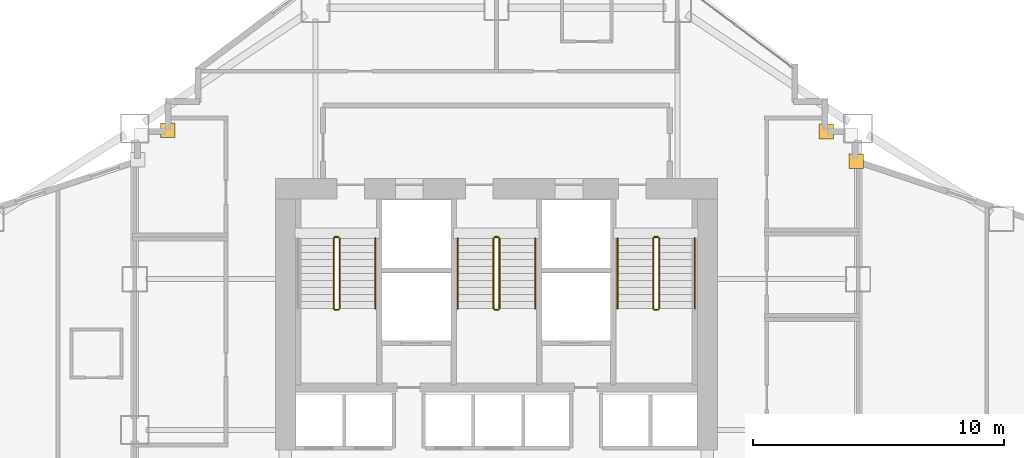
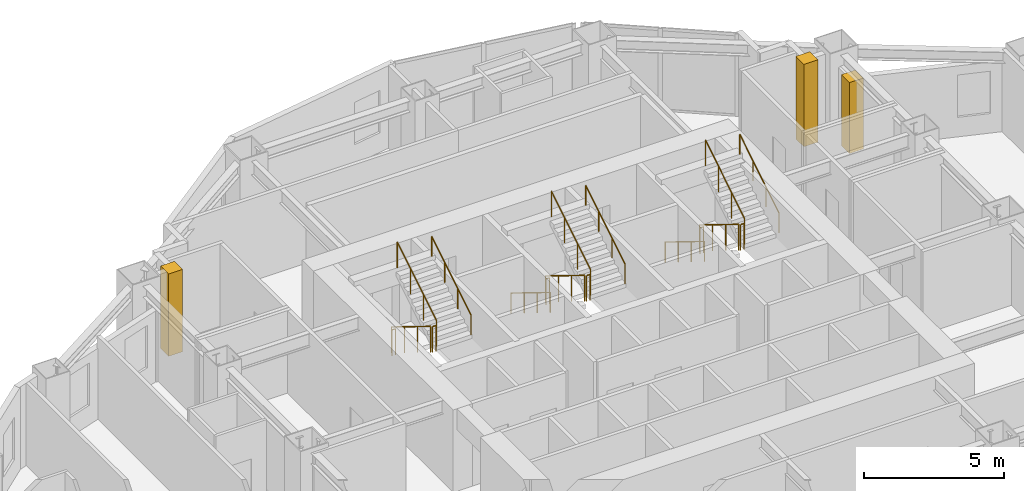
# One storey, part 15 of 16: 17 railings, 3 coverings.
"""IFC4 building model written with IfcOpenShell, lengths in metres."""

from ifc_helpers import new_model, si_unit, direction, frame, origin, origin_2d, place, context, subcontext, project, spatial, rectangle, circle, extrude, material, layer, layer_set, type_object, element, save


model = new_model("IFC4")

# Units and contexts
model_context = context("Model", 3, precision=1e-05, world=origin(), true_north=direction((0.0, 1.0)))
body_context = subcontext(model_context, "Body", "Model", "MODEL_VIEW")
ifc_project = project(units=[si_unit("LENGTHUNIT", "METRE"), si_unit("AREAUNIT", "SQUARE_METRE"), si_unit("VOLUMEUNIT", "CUBIC_METRE"), si_unit("PLANEANGLEUNIT", "RADIAN"), si_unit("MASSUNIT", "GRAM", prefix="KILO")], contexts=[model_context])

# Site, building, storey
site_placement = place(None, origin())
site = spatial("IfcSite", under=ifc_project, at=site_placement, CompositionType="ELEMENT")
building_placement = place(site_placement, origin())
building = spatial("IfcBuilding", under=site, at=building_placement, Name="Haolan Belvedere Tower", CompositionType="ELEMENT")
storey_placement = place(building_placement, frame((0.0, 0.0, 74.199951171875)))
storey = spatial("IfcBuildingStorey", under=building, at=storey_placement, Name="L18", CompositionType="ELEMENT", Elevation=74.199951171875)

# Coverings
ifc_material_1 = material(Name="Pale champagne-silver anodised aluminium rainscreen cladding", Category="aluminium")
ifc_layer = layer(ifc_material_1, 0.034912109375, Name="Pale champagne-silver anodised aluminium rainscreen cladding")
ifc_layer_set = layer_set([ifc_layer], Name="Pale champagne-silver anodised aluminium rainscreen cladding")
covering_type = type_object("IfcCoveringType", Name="COV-CLAD-35", PredefinedType="CLADDING", material=ifc_layer_set)
covering_placement = place(storey_placement, frame((52.72021484375, 44.300048828125, 0.0), z_axis=(0.0, 0.0, 1.0), x_axis=(1.0, 0.0, 0.0)))
element("IfcCovering", 1, at=covering_placement, inside=storey, type_object=covering_type, Name="L18 pale-metal serrated corner cladding trim 7", PredefinedType="CLADDING", context=body_context, shape_type="SweptSolid", body=[
    extrude(rectangle(XDim=0.580078125, YDim=0.580078125, at=origin_2d()), origin(), (0.0, 0.0, 1.0), 3.096923828125),
])
for number, where, z_axis, x_axis, name in (
    (2, (51.5224609375, 45.47998046875, 0.0), (0.0, 0.0, 1.0), (1.0, 0.0, 0.0), "L18 pale-metal serrated corner cladding trim 8"),
    (3, (25.320068359375, 45.5224609375, 0.0), (0.0, 0.0, 1.0), (1.0, 0.0, 0.0), "L18 pale-metal serrated corner cladding trim 9"),
):
    element("IfcCovering", number, at=place(storey_placement, frame(where, z_axis=z_axis, x_axis=x_axis)), inside=storey, type_object=covering_type, Name=name, PredefinedType="CLADDING", context=body_context, shape_type="SweptSolid", body=[
        extrude(rectangle(XDim=0.580078125, YDim=0.580078125, at=origin_2d()), origin(), (0.0, 0.0, 1.0), 3.60009765625),
    ])

# Railings
ifc_material_2 = material(Name="Brushed stainless steel 304", Category="steel")
railing_type_1 = type_object("IfcRailingType", Name="RL-STAIR-GRD-1150", PredefinedType="GUARDRAIL", material=ifc_material_2)
railing_1_placement = place(storey_placement, frame((31.919921875, 41.22998046875, 0.1728515625)))
element("IfcRailing", 4, at=railing_1_placement, inside=storey, type_object=railing_type_1, Name="L18 ST1 stair guard 1", PredefinedType="GUARDRAIL", context=body_context, shape_type="SweptSolid", body=[
    extrude(circle(Radius=0.02392578125, at=origin_2d()), frame((0.0, 0.0, 1.1259765625), z_axis=(0.0, -0.851089632645, 0.525020415988), x_axis=(1.0, 0.0, 0.0)), (0.0, 0.0, 1.0), 3.2900390625),
    extrude(circle(Radius=0.02099609375, at=origin_2d()), origin(), (0.0, 0.0, 1.0), 1.101806640625),
    extrude(circle(Radius=0.02099609375, at=origin_2d()), frame((0.0, -0.933349609375, 0.57568359375)), (0.0, 0.0, 1.0), 1.101806640625),
    extrude(circle(Radius=0.02099609375, at=origin_2d()), frame((0.0, -1.86669921875, 1.151611328125)), (0.0, 0.0, 1.0), 1.101806640625),
    extrude(circle(Radius=0.02099609375, at=origin_2d()), frame((0.0, -2.800048828125, 1.727294921875)), (0.0, 0.0, 1.0), 1.101806640625),
])
railing_2_placement = place(storey_placement, frame((31.969970703125, 38.3798828125, 1.900146484375)))
element("IfcRailing", 5, at=railing_2_placement, inside=storey, type_object=railing_type_1, Name="L18 ST1 stair guard 2", PredefinedType="GUARDRAIL", context=body_context, shape_type="SweptSolid", body=[
    extrude(circle(Radius=0.02392578125, at=origin_2d()), frame((0.0, 0.0, 1.1259765625), z_axis=(1.0, 0.0, 0.0), x_axis=(0.0, 1.0, 0.0)), (0.0, 0.0, 1.0), 0.14013671875),
    extrude(circle(Radius=0.02099609375, at=origin_2d()), origin(), (0.0, 0.0, 1.0), 1.101806640625),
    extrude(circle(Radius=0.02099609375, at=origin_2d()), frame((0.14013671875, 0.0, 0.0)), (0.0, 0.0, 1.0), 1.101806640625),
])
railing_3_placement = place(storey_placement, frame((32.159912109375, 38.429931640625, 2.07275390625)))
element("IfcRailing", 6, at=railing_3_placement, inside=storey, type_object=railing_type_1, Name="L18 ST1 stair guard 3", PredefinedType="GUARDRAIL", context=body_context, shape_type="SweptSolid", body=[
    extrude(circle(Radius=0.02392578125, at=origin_2d()), frame((0.0, 0.0, 1.1259765625), z_axis=(0.0, 0.851089632645, 0.525020415988), x_axis=(-1.0, 0.0, 0.0)), (0.0, 0.0, 1.0), 3.2900390625),
    extrude(circle(Radius=0.02099609375, at=origin_2d()), origin(), (0.0, 0.0, 1.0), 1.101806640625),
    extrude(circle(Radius=0.02099609375, at=origin_2d()), frame((0.0, 0.933349609375, 0.57568359375)), (0.0, 0.0, 1.0), 1.101806640625),
    extrude(circle(Radius=0.02099609375, at=origin_2d()), frame((0.0, 1.86669921875, 1.151611328125)), (0.0, 0.0, 1.0), 1.101806640625),
    extrude(circle(Radius=0.02099609375, at=origin_2d()), frame((0.0, 2.800048828125, 1.727294921875)), (0.0, 0.0, 1.0), 1.101806640625),
])
railing_4_placement = place(storey_placement, frame((31.969970703125, 41.280029296875, 0.0)))
element("IfcRailing", 7, at=railing_4_placement, inside=storey, type_object=railing_type_1, Name="L18 ST1 stair guard 4", PredefinedType="GUARDRAIL", context=body_context, shape_type="SweptSolid", body=[
    extrude(circle(Radius=0.02392578125, at=origin_2d()), frame((0.0, 0.0, 1.1259765625), z_axis=(1.0, 0.0, 0.0), x_axis=(0.0, 1.0, 0.0)), (0.0, 0.0, 1.0), 0.14013671875),
    extrude(circle(Radius=0.02099609375, at=origin_2d()), origin(), (0.0, 0.0, 1.0), 1.101806640625),
    extrude(circle(Radius=0.02099609375, at=origin_2d()), frame((0.14013671875, 0.0, 0.0)), (0.0, 0.0, 1.0), 1.101806640625),
])
railing_5_placement = place(storey_placement, frame((38.280029296875, 41.22998046875, 0.1728515625)))
element("IfcRailing", 8, at=railing_5_placement, inside=storey, type_object=railing_type_1, Name="L18 ST3 stair guard 1", PredefinedType="GUARDRAIL", context=body_context, shape_type="SweptSolid", body=[
    extrude(circle(Radius=0.02392578125, at=origin_2d()), frame((0.0, 0.0, 1.1259765625), z_axis=(0.0, -0.851089632645, 0.525020415988), x_axis=(1.0, 0.0, 0.0)), (0.0, 0.0, 1.0), 3.2900390625),
    extrude(circle(Radius=0.02099609375, at=origin_2d()), origin(), (0.0, 0.0, 1.0), 1.101806640625),
    extrude(circle(Radius=0.02099609375, at=origin_2d()), frame((0.0, -0.933349609375, 0.57568359375)), (0.0, 0.0, 1.0), 1.101806640625),
    extrude(circle(Radius=0.02099609375, at=origin_2d()), frame((0.0, -1.86669921875, 1.151611328125)), (0.0, 0.0, 1.0), 1.101806640625),
    extrude(circle(Radius=0.02099609375, at=origin_2d()), frame((0.0, -2.800048828125, 1.727294921875)), (0.0, 0.0, 1.0), 1.101806640625),
])
railing_6_placement = place(storey_placement, frame((38.330078125, 38.3798828125, 1.900146484375)))
element("IfcRailing", 9, at=railing_6_placement, inside=storey, type_object=railing_type_1, Name="L18 ST3 stair guard 2", PredefinedType="GUARDRAIL", context=body_context, shape_type="SweptSolid", body=[
    extrude(circle(Radius=0.02392578125, at=origin_2d()), frame((0.0, 0.0, 1.1259765625), z_axis=(1.0, 0.0, 0.0), x_axis=(0.0, 1.0, 0.0)), (0.0, 0.0, 1.0), 0.139892578125),
    extrude(circle(Radius=0.02099609375, at=origin_2d()), origin(), (0.0, 0.0, 1.0), 1.101806640625),
    extrude(circle(Radius=0.02099609375, at=origin_2d()), frame((0.139892578125, 0.0, 0.0)), (0.0, 0.0, 1.0), 1.101806640625),
])
railing_7_placement = place(storey_placement, frame((38.52001953125, 38.429931640625, 2.07275390625)))
element("IfcRailing", 10, at=railing_7_placement, inside=storey, type_object=railing_type_1, Name="L18 ST3 stair guard 3", PredefinedType="GUARDRAIL", context=body_context, shape_type="SweptSolid", body=[
    extrude(circle(Radius=0.02392578125, at=origin_2d()), frame((0.0, 0.0, 1.1259765625), z_axis=(0.0, 0.851089632645, 0.525020415988), x_axis=(-1.0, 0.0, 0.0)), (0.0, 0.0, 1.0), 3.2900390625),
    extrude(circle(Radius=0.02099609375, at=origin_2d()), origin(), (0.0, 0.0, 1.0), 1.101806640625),
    extrude(circle(Radius=0.02099609375, at=origin_2d()), frame((0.0, 0.933349609375, 0.57568359375)), (0.0, 0.0, 1.0), 1.101806640625),
    extrude(circle(Radius=0.02099609375, at=origin_2d()), frame((0.0, 1.86669921875, 1.151611328125)), (0.0, 0.0, 1.0), 1.101806640625),
    extrude(circle(Radius=0.02099609375, at=origin_2d()), frame((0.0, 2.800048828125, 1.727294921875)), (0.0, 0.0, 1.0), 1.101806640625),
])
railing_8_placement = place(storey_placement, frame((38.330078125, 41.280029296875, 0.0)))
element("IfcRailing", 11, at=railing_8_placement, inside=storey, type_object=railing_type_1, Name="L18 ST3 stair guard 4", PredefinedType="GUARDRAIL", context=body_context, shape_type="SweptSolid", body=[
    extrude(circle(Radius=0.02392578125, at=origin_2d()), frame((0.0, 0.0, 1.1259765625), z_axis=(1.0, 0.0, 0.0), x_axis=(0.0, 1.0, 0.0)), (0.0, 0.0, 1.0), 0.139892578125),
    extrude(circle(Radius=0.02099609375, at=origin_2d()), origin(), (0.0, 0.0, 1.0), 1.101806640625),
    extrude(circle(Radius=0.02099609375, at=origin_2d()), frame((0.139892578125, 0.0, 0.0)), (0.0, 0.0, 1.0), 1.101806640625),
])
railing_9_placement = place(storey_placement, frame((44.639892578125, 41.22998046875, 0.1728515625)))
element("IfcRailing", 12, at=railing_9_placement, inside=storey, type_object=railing_type_1, Name="L18 ST2 stair guard 1", PredefinedType="GUARDRAIL", context=body_context, shape_type="SweptSolid", body=[
    extrude(circle(Radius=0.02392578125, at=origin_2d()), frame((0.0, 0.0, 1.1259765625), z_axis=(0.0, -0.851089632645, 0.525020415988), x_axis=(1.0, 0.0, 0.0)), (0.0, 0.0, 1.0), 3.2900390625),
    extrude(circle(Radius=0.02099609375, at=origin_2d()), origin(), (0.0, 0.0, 1.0), 1.101806640625),
    extrude(circle(Radius=0.02099609375, at=origin_2d()), frame((0.0, -0.933349609375, 0.57568359375)), (0.0, 0.0, 1.0), 1.101806640625),
    extrude(circle(Radius=0.02099609375, at=origin_2d()), frame((0.0, -1.86669921875, 1.151611328125)), (0.0, 0.0, 1.0), 1.101806640625),
    extrude(circle(Radius=0.02099609375, at=origin_2d()), frame((0.0, -2.800048828125, 1.727294921875)), (0.0, 0.0, 1.0), 1.101806640625),
])
railing_10_placement = place(storey_placement, frame((44.68994140625, 38.3798828125, 1.900146484375)))
element("IfcRailing", 13, at=railing_10_placement, inside=storey, type_object=railing_type_1, Name="L18 ST2 stair guard 2", PredefinedType="GUARDRAIL", context=body_context, shape_type="SweptSolid", body=[
    extrude(circle(Radius=0.02392578125, at=origin_2d()), frame((0.0, 0.0, 1.1259765625), z_axis=(1.0, 0.0, 0.0), x_axis=(0.0, 1.0, 0.0)), (0.0, 0.0, 1.0), 0.14013671875),
    extrude(circle(Radius=0.02099609375, at=origin_2d()), origin(), (0.0, 0.0, 1.0), 1.101806640625),
    extrude(circle(Radius=0.02099609375, at=origin_2d()), frame((0.14013671875, 0.0, 0.0)), (0.0, 0.0, 1.0), 1.101806640625),
])
railing_11_placement = place(storey_placement, frame((44.8798828125, 38.429931640625, 2.07275390625)))
element("IfcRailing", 14, at=railing_11_placement, inside=storey, type_object=railing_type_1, Name="L18 ST2 stair guard 3", PredefinedType="GUARDRAIL", context=body_context, shape_type="SweptSolid", body=[
    extrude(circle(Radius=0.02392578125, at=origin_2d()), frame((0.0, 0.0, 1.1259765625), z_axis=(0.0, 0.851089632645, 0.525020415988), x_axis=(-1.0, 0.0, 0.0)), (0.0, 0.0, 1.0), 3.2900390625),
    extrude(circle(Radius=0.02099609375, at=origin_2d()), origin(), (0.0, 0.0, 1.0), 1.101806640625),
    extrude(circle(Radius=0.02099609375, at=origin_2d()), frame((0.0, 0.933349609375, 0.57568359375)), (0.0, 0.0, 1.0), 1.101806640625),
    extrude(circle(Radius=0.02099609375, at=origin_2d()), frame((0.0, 1.86669921875, 1.151611328125)), (0.0, 0.0, 1.0), 1.101806640625),
    extrude(circle(Radius=0.02099609375, at=origin_2d()), frame((0.0, 2.800048828125, 1.727294921875)), (0.0, 0.0, 1.0), 1.101806640625),
])
railing_12_placement = place(storey_placement, frame((44.68994140625, 41.280029296875, 0.0)))
element("IfcRailing", 15, at=railing_12_placement, inside=storey, type_object=railing_type_1, Name="L18 ST2 stair guard 4", PredefinedType="GUARDRAIL", context=body_context, shape_type="SweptSolid", body=[
    extrude(circle(Radius=0.02392578125, at=origin_2d()), frame((0.0, 0.0, 1.1259765625), z_axis=(1.0, 0.0, 0.0), x_axis=(0.0, 1.0, 0.0)), (0.0, 0.0, 1.0), 0.14013671875),
    extrude(circle(Radius=0.02099609375, at=origin_2d()), origin(), (0.0, 0.0, 1.0), 1.101806640625),
    extrude(circle(Radius=0.02099609375, at=origin_2d()), frame((0.14013671875, 0.0, 0.0)), (0.0, 0.0, 1.0), 1.101806640625),
])
railing_type_2 = type_object("IfcRailingType", Name="RL-STAIR-HND-900", PredefinedType="HANDRAIL", material=ifc_material_2)
railing_13_placement = place(storey_placement, frame((33.580078125, 38.429931640625, 2.07275390625)))
element("IfcRailing", 16, at=railing_13_placement, inside=storey, type_object=railing_type_2, Name="L18 ST1 stair handrail 2", PredefinedType="HANDRAIL", context=body_context, shape_type="SweptSolid", body=[
    extrude(circle(Radius=0.02392578125, at=origin_2d()), frame((0.0, 0.0, 0.8759765625), z_axis=(0.0, 0.851089632645, 0.525020415988), x_axis=(-1.0, 0.0, 0.0)), (0.0, 0.0, 1.0), 3.2900390625),
    extrude(circle(Radius=0.02099609375, at=origin_2d()), origin(), (0.0, 0.0, 1.0), 0.851806640625),
    extrude(circle(Radius=0.02099609375, at=origin_2d()), frame((0.0, 0.933349609375, 0.57568359375)), (0.0, 0.0, 1.0), 0.851806640625),
    extrude(circle(Radius=0.02099609375, at=origin_2d()), frame((0.0, 1.86669921875, 1.151611328125)), (0.0, 0.0, 1.0), 0.851806640625),
    extrude(circle(Radius=0.02099609375, at=origin_2d()), frame((0.0, 2.800048828125, 1.727294921875)), (0.0, 0.0, 1.0), 0.851806640625),
])
railing_14_placement = place(storey_placement, frame((36.860107421875, 41.22998046875, 0.1728515625)))
element("IfcRailing", 17, at=railing_14_placement, inside=storey, type_object=railing_type_2, Name="L18 ST3 stair handrail 1", PredefinedType="HANDRAIL", context=body_context, shape_type="SweptSolid", body=[
    extrude(circle(Radius=0.02392578125, at=origin_2d()), frame((0.0, 0.0, 0.8759765625), z_axis=(0.0, -0.851089632645, 0.525020415988), x_axis=(1.0, 0.0, 0.0)), (0.0, 0.0, 1.0), 3.2900390625),
    extrude(circle(Radius=0.02099609375, at=origin_2d()), origin(), (0.0, 0.0, 1.0), 0.851806640625),
    extrude(circle(Radius=0.02099609375, at=origin_2d()), frame((0.0, -0.933349609375, 0.57568359375)), (0.0, 0.0, 1.0), 0.851806640625),
    extrude(circle(Radius=0.02099609375, at=origin_2d()), frame((0.0, -1.86669921875, 1.151611328125)), (0.0, 0.0, 1.0), 0.851806640625),
    extrude(circle(Radius=0.02099609375, at=origin_2d()), frame((0.0, -2.800048828125, 1.727294921875)), (0.0, 0.0, 1.0), 0.851806640625),
])
railing_15_placement = place(storey_placement, frame((39.93994140625, 38.429931640625, 2.07275390625)))
element("IfcRailing", 18, at=railing_15_placement, inside=storey, type_object=railing_type_2, Name="L18 ST3 stair handrail 2", PredefinedType="HANDRAIL", context=body_context, shape_type="SweptSolid", body=[
    extrude(circle(Radius=0.02392578125, at=origin_2d()), frame((0.0, 0.0, 0.8759765625), z_axis=(0.0, 0.851089632645, 0.525020415988), x_axis=(-1.0, 0.0, 0.0)), (0.0, 0.0, 1.0), 3.2900390625),
    extrude(circle(Radius=0.02099609375, at=origin_2d()), origin(), (0.0, 0.0, 1.0), 0.851806640625),
    extrude(circle(Radius=0.02099609375, at=origin_2d()), frame((0.0, 0.933349609375, 0.57568359375)), (0.0, 0.0, 1.0), 0.851806640625),
    extrude(circle(Radius=0.02099609375, at=origin_2d()), frame((0.0, 1.86669921875, 1.151611328125)), (0.0, 0.0, 1.0), 0.851806640625),
    extrude(circle(Radius=0.02099609375, at=origin_2d()), frame((0.0, 2.800048828125, 1.727294921875)), (0.0, 0.0, 1.0), 0.851806640625),
])
railing_16_placement = place(storey_placement, frame((43.219970703125, 41.22998046875, 0.1728515625)))
element("IfcRailing", 19, at=railing_16_placement, inside=storey, type_object=railing_type_2, Name="L18 ST2 stair handrail 1", PredefinedType="HANDRAIL", context=body_context, shape_type="SweptSolid", body=[
    extrude(circle(Radius=0.02392578125, at=origin_2d()), frame((0.0, 0.0, 0.8759765625), z_axis=(0.0, -0.851089632645, 0.525020415988), x_axis=(1.0, 0.0, 0.0)), (0.0, 0.0, 1.0), 3.2900390625),
    extrude(circle(Radius=0.02099609375, at=origin_2d()), origin(), (0.0, 0.0, 1.0), 0.851806640625),
    extrude(circle(Radius=0.02099609375, at=origin_2d()), frame((0.0, -0.933349609375, 0.57568359375)), (0.0, 0.0, 1.0), 0.851806640625),
    extrude(circle(Radius=0.02099609375, at=origin_2d()), frame((0.0, -1.86669921875, 1.151611328125)), (0.0, 0.0, 1.0), 0.851806640625),
    extrude(circle(Radius=0.02099609375, at=origin_2d()), frame((0.0, -2.800048828125, 1.727294921875)), (0.0, 0.0, 1.0), 0.851806640625),
])
railing_17_placement = place(storey_placement, frame((46.300048828125, 38.429931640625, 2.07275390625)))
element("IfcRailing", 20, at=railing_17_placement, inside=storey, type_object=railing_type_2, Name="L18 ST2 stair handrail 2", PredefinedType="HANDRAIL", context=body_context, shape_type="SweptSolid", body=[
    extrude(circle(Radius=0.02392578125, at=origin_2d()), frame((0.0, 0.0, 0.8759765625), z_axis=(0.0, 0.851089632645, 0.525020415988), x_axis=(-1.0, 0.0, 0.0)), (0.0, 0.0, 1.0), 3.2900390625),
    extrude(circle(Radius=0.02099609375, at=origin_2d()), origin(), (0.0, 0.0, 1.0), 0.851806640625),
    extrude(circle(Radius=0.02099609375, at=origin_2d()), frame((0.0, 0.933349609375, 0.57568359375)), (0.0, 0.0, 1.0), 0.851806640625),
    extrude(circle(Radius=0.02099609375, at=origin_2d()), frame((0.0, 1.86669921875, 1.151611328125)), (0.0, 0.0, 1.0), 0.851806640625),
    extrude(circle(Radius=0.02099609375, at=origin_2d()), frame((0.0, 2.800048828125, 1.727294921875)), (0.0, 0.0, 1.0), 0.851806640625),
])

save(model, "model.ifc")
